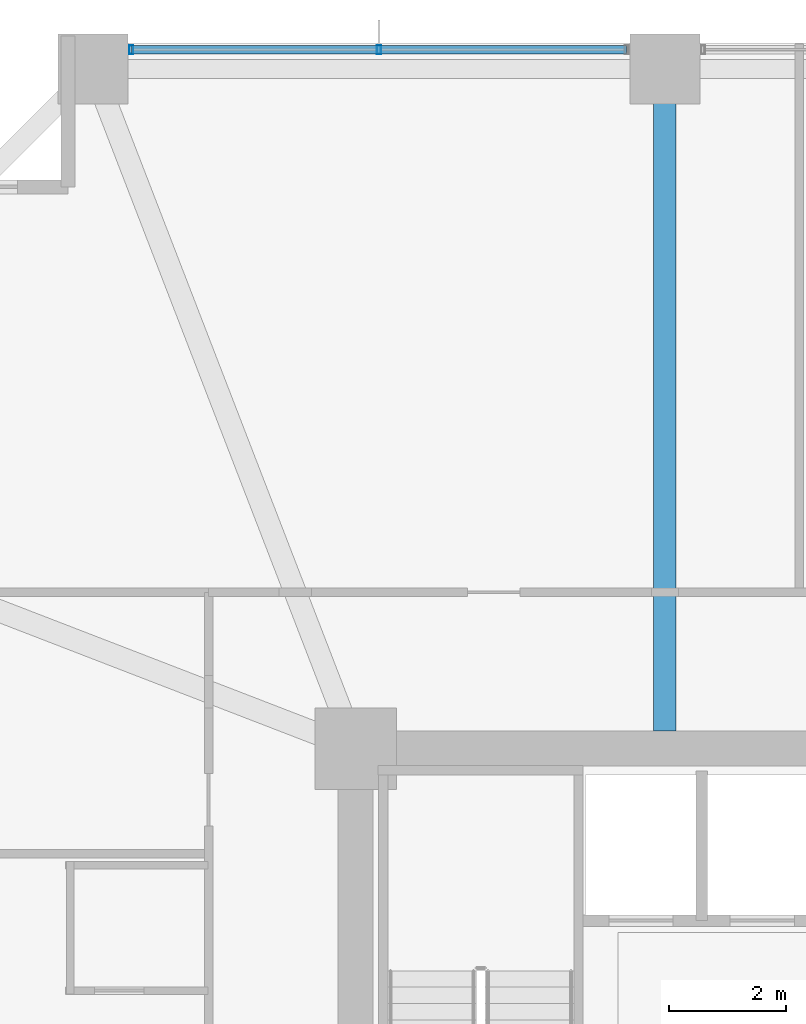
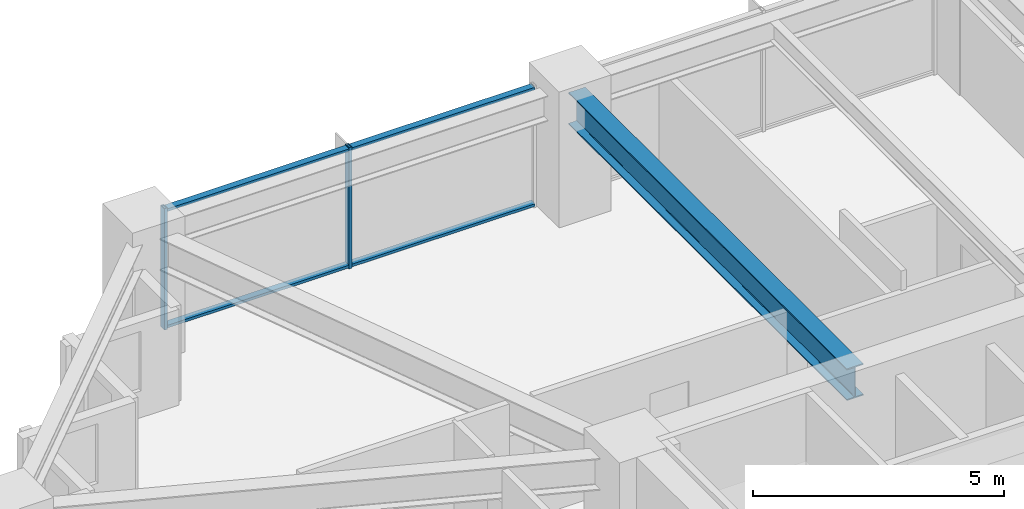
# One storey, part 21 of 38: 4 members, 1 beam, 1 element without a shape of its own.
"""IFC4 building model written with IfcOpenShell, lengths in metres."""

import ifcopenshell
import ifcopenshell.guid

model = None  # the IFC model being written
_history = None  # IfcOwnerHistory: only IFC2X3 demands one
_inside = {}  # id of a spatial element -> (the spatial element, [elements in it])
_under = {}  # id of a project, library or spatial element -> (it, [spatial elements below it])
_declared = {}  # id of a project -> (the project, [libraries it declares])
_typed = {}  # id of a type object -> (the type object, [elements of that type])
_made_of = {}  # id of a material, layer set ... -> (it, [elements and type objects made of it])


def new_model(schema):
    """Start an empty IFC model of exactly this schema.

    Asked for "IFC4X3", IfcOpenShell would pick the latest addendum, in which some entities
    have other attributes; the version numbers below select the first issue.
    IFC2X3 requires an IfcOwnerHistory on every rooted entity: one is made here for all.
    """
    global model, _history
    if schema == "IFC4X3":
        model = ifcopenshell.file(schema_version=(4, 3, 0, 0))
    else:
        model = ifcopenshell.file(schema=schema)
    _inside.clear()
    _under.clear()
    _declared.clear()
    _typed.clear()
    _made_of.clear()
    _history = None
    if model.schema == "IFC2X3":
        org = make("IfcOrganization", Name="unknown")
        user = make(
            "IfcPersonAndOrganization",
            ThePerson=make("IfcPerson", FamilyName="unknown"),
            TheOrganization=org,
        )
        app = make(
            "IfcApplication",
            ApplicationDeveloper=org,
            Version="unknown",
            ApplicationFullName="unknown",
            ApplicationIdentifier="unknown",
        )
        _history = make(
            "IfcOwnerHistory",
            OwningUser=user,
            OwningApplication=app,
            ChangeAction="ADDED",
            CreationDate=0,
        )
    return model


def make(cls, **values):
    """One entity of the class cls with the attributes given. An attribute that is None is left unset."""
    return model.create_entity(
        cls, **{name: value for name, value in values.items() if value is not None}
    )


def rooted(cls, **values):
    """An entity with a GlobalId (a new one), such as an element, a storey or a relation."""
    return make(cls, GlobalId=ifcopenshell.guid.new(), OwnerHistory=_history, **values)


def si_unit(unit_type, name, prefix=None):
    """IfcSIUnit, for example si_unit("LENGTHUNIT", "METRE", prefix="MILLI")."""
    return make("IfcSIUnit", UnitType=unit_type, Prefix=prefix, Name=name)


def assignment(units):
    """IfcUnitAssignment: the units of a project."""
    return None if units is None else make("IfcUnitAssignment", Units=units)


def point(xyz):
    """IfcCartesianPoint."""
    return None if xyz is None else make("IfcCartesianPoint", Coordinates=xyz)


def direction(xyz):
    """IfcDirection."""
    return None if xyz is None else make("IfcDirection", DirectionRatios=xyz)


def frame(location, z_axis=None, x_axis=None):
    """IfcAxis2Placement3D, a coordinate frame: its origin and axes. An axis left out is left unset."""
    return make(
        "IfcAxis2Placement3D",
        Location=point(location),
        Axis=direction(z_axis),
        RefDirection=direction(x_axis),
    )


def frame_2d(location, x_axis=None):
    """IfcAxis2Placement2D, a coordinate frame in the plane: its origin and x axis."""
    return make(
        "IfcAxis2Placement2D", Location=point(location), RefDirection=direction(x_axis)
    )


def origin():
    """The frame at (0, 0, 0) with its axes left unset."""
    return frame((0.0, 0.0, 0.0))


def origin_2d():
    """The frame at (0, 0) in the plane with its x axis left unset."""
    return frame_2d((0.0, 0.0))


def place(relative_to, where):
    """IfcLocalPlacement: puts the frame where relative to a parent placement (None: the world)."""
    return make(
        "IfcLocalPlacement", PlacementRelTo=relative_to, RelativePlacement=where
    )


def context(
    kind, dimensions, precision=None, world=None, true_north=None, identifier=None
):
    """IfcGeometricRepresentationContext, for example the 3D "Model" context."""
    return make(
        "IfcGeometricRepresentationContext",
        ContextIdentifier=identifier,
        ContextType=kind,
        CoordinateSpaceDimension=dimensions,
        Precision=precision,
        WorldCoordinateSystem=world,
        TrueNorth=true_north,
    )


def subcontext(parent, identifier, kind, view, scale=None):
    """IfcGeometricRepresentationSubContext, for example "Body" below "Model"."""
    return make(
        "IfcGeometricRepresentationSubContext",
        ContextIdentifier=identifier,
        ContextType=kind,
        ParentContext=parent,
        TargetScale=scale,
        TargetView=view,
    )


def project(units=None, contexts=None):
    """IfcProject with its units and contexts."""
    return rooted(
        "IfcProject",
        Name="project",
        RepresentationContexts=contexts,
        UnitsInContext=assignment(units),
    )


def spatial(cls, under=None, at=None, **own):
    """A site, building, storey or space (cls), placed at a placement, below another one or the project."""
    s = rooted(cls, ObjectPlacement=at, **own)
    if under is not None:
        _under.setdefault(under.id(), (under, []))[1].append(s)
    return s


def profile(cls, at=None, kind="AREA", **sizes):
    """A parametric profile (cls). Its sizes go by their IFC names, for example OverallWidth=200.0."""
    return make(cls, ProfileType=kind, Position=at, **sizes)


def hollow_rectangle(**sizes):
    """IfcRectangleHollowProfileDef."""
    return profile("IfcRectangleHollowProfileDef", **sizes)


def i_section(**sizes):
    """IfcIShapeProfileDef."""
    return profile("IfcIShapeProfileDef", **sizes)


def extrude(swept, where, along, depth):
    """IfcExtrudedAreaSolid: the profile swept, set in the frame where, extruded along a direction by depth."""
    return make(
        "IfcExtrudedAreaSolid",
        SweptArea=swept,
        Position=where,
        ExtrudedDirection=direction(along),
        Depth=depth,
    )


def shape(context_of_items, identifier, shape_type, items):
    """IfcShapeRepresentation: the items that make up one representation, for example the "Body"."""
    return make(
        "IfcShapeRepresentation",
        ContextOfItems=context_of_items,
        RepresentationIdentifier=identifier,
        RepresentationType=shape_type,
        Items=items,
    )


def material(Name=None, Category=None):
    """IfcMaterial."""
    return make("IfcMaterial", Name=Name, Category=Category)


def material_profile(
    of_material, cross_section, Name=None, Category=None, Priority=None
):
    """IfcMaterialProfile: a cross section and its material."""
    return make(
        "IfcMaterialProfile",
        Name=Name,
        Material=of_material,
        Profile=cross_section,
        Priority=Priority,
        Category=Category,
    )


def profile_set(profiles, Name=None, composite=None):
    """IfcMaterialProfileSet."""
    return make(
        "IfcMaterialProfileSet",
        Name=Name,
        MaterialProfiles=profiles,
        CompositeProfile=composite,
    )


def made_of(thing, what):
    """Note that an element or type object is made of a material, layer set ...; save() writes the relation."""
    if what is not None:
        _made_of.setdefault(what.id(), (what, []))[1].append(thing)
    return thing


def type_object(cls, material=None, **own):
    """A type object (cls), such as IfcWallType, which elements share."""
    return made_of(rooted(cls, **own), material)


def element(
    cls,
    number,
    at=None,
    inside=None,
    cuts=None,
    type_object=None,
    material=None,
    context=None,
    identifier="Body",
    shape_type=None,
    held_by="IfcProductDefinitionShape",
    body=None,
    shapes=None,
    **own,
):
    """One element of the class cls, such as IfcWall. Its Tag is "e" and its number.

    at: its placement. inside: the storey or other place that contains it. cuts: it is an
    opening in that element (IfcRelVoidsElement). A single representation is given by context,
    identifier, shape_type and body (its items); several are given by shapes. held_by: the class
    of the entity that holds the representations. save() writes the other relations.
    """
    e = rooted(cls, Tag="e%d" % number, ObjectPlacement=at, **own)
    if body is not None:
        shapes = [shape(context, identifier, shape_type, body)]
    if shapes is not None:
        e.Representation = make(held_by, Representations=shapes)
    if inside is not None:
        _inside.setdefault(inside.id(), (inside, []))[1].append(e)
    if cuts is not None:
        rooted(
            "IfcRelVoidsElement", RelatingBuildingElement=cuts, RelatedOpeningElement=e
        )
    if type_object is not None:
        _typed.setdefault(type_object.id(), (type_object, []))[1].append(e)
    return made_of(e, material)


def aggregate(whole, parts):
    """IfcRelAggregates: a whole, such as a stair, and the parts it consists of."""
    return rooted("IfcRelAggregates", RelatingObject=whole, RelatedObjects=parts)


def save(model, path):
    """Write the relations noted so far, then the file.

    IfcRelAggregates (storeys below a building ...), IfcRelContainedInSpatialStructure (elements
    in a storey), IfcRelDefinesByType, IfcRelAssociatesMaterial and IfcRelDeclares: one each for
    every whole, place, type object, material and project.
    """
    for whole, parts in _under.values():
        aggregate(whole, parts)
    for where, things in _inside.values():
        rooted(
            "IfcRelContainedInSpatialStructure",
            RelatedElements=things,
            RelatingStructure=where,
        )
    for kind, things in _typed.values():
        rooted("IfcRelDefinesByType", RelatedObjects=things, RelatingType=kind)
    for what, things in _made_of.values():
        rooted("IfcRelAssociatesMaterial", RelatedObjects=things, RelatingMaterial=what)
    for by, libraries in _declared.values():
        rooted("IfcRelDeclares", RelatingContext=by, RelatedDefinitions=libraries)
    model.write(path)


model = new_model("IFC4")

# Units and contexts
model_context = context("Model", 3, precision=1e-05, world=origin(), true_north=direction((0.0, 1.0)))
body_context = subcontext(model_context, "Body", "Model", "MODEL_VIEW")
ifc_project = project(units=[si_unit("LENGTHUNIT", "METRE"), si_unit("AREAUNIT", "SQUARE_METRE"), si_unit("VOLUMEUNIT", "CUBIC_METRE"), si_unit("PLANEANGLEUNIT", "RADIAN"), si_unit("MASSUNIT", "GRAM", prefix="KILO")], contexts=[model_context])

# Site, building, storey
site_placement = place(None, origin())
site = spatial("IfcSite", under=ifc_project, at=site_placement, CompositionType="ELEMENT")
building_placement = place(site_placement, origin())
building = spatial("IfcBuilding", under=site, at=building_placement, Name="Kolvaren Belvedere", CompositionType="ELEMENT")
storey_placement = place(building_placement, frame((0.0, 0.0, 60.10009765625)))
storey = spatial("IfcBuildingStorey", under=building, at=storey_placement, Name="L17", CompositionType="ELEMENT", Elevation=60.10009765625)

# Beam
ifc_material_1 = material(Name="Structural steel ASTM A992 Grade 50", Category="steel")
ifc_material_profile_1 = material_profile(ifc_material_1, i_section(OverallWidth=0.381103515625, OverallDepth=0.77294921875, WebThickness=0.0166015625, FlangeThickness=0.027099609375, FilletRadius=0.02392578125, at=origin_2d()), Name="W30X173")
ifc_profile_set_1 = profile_set([ifc_material_profile_1], Name="Structural steel ASTM A992 Grade 50")
beam_type = type_object("IfcBeamType", Name="BM-GIRD-W30X173", PredefinedType="BEAM", material=ifc_profile_set_1)
beam_placement = place(storey_placement, frame((-4.60009765625, 10.199951171875, 2.5634765625), z_axis=(0.0, 1.0, 0.0), x_axis=(-1.0, 0.0, 0.0)))
element("IfcBeam", 1, at=beam_placement, inside=storey, type_object=beam_type, Name="L17 North Radial Girder M", PredefinedType="BEAM", context=body_context, shape_type="SweptSolid", body=[
    extrude(i_section(OverallWidth=0.381103515625, OverallDepth=0.77294921875, WebThickness=0.0166015625, FlangeThickness=0.027099609375, FilletRadius=0.02392578125, at=origin_2d()), origin(), (0.0, 0.0, 1.0), 11.080078125),
])

# Curtain wall, members
ifc_material_2 = material(Name="Anodised pale-metal aluminium AA 6063-T6", Category="aluminium")
curtain_wall_type = type_object("IfcCurtainWallType", Name="CW-Z1-LOW", PredefinedType="NOTDEFINED", material=ifc_material_2)
curtain_wall_placement = place(storey_placement, origin())
curtain_wall = element("IfcCurtainWall", 2, at=curtain_wall_placement, inside=storey, type_object=curtain_wall_type, Name="L17 Unitised Curtain Wall FCW-L17-N-B1", PredefinedType="NOTDEFINED")
ifc_material_3 = material(Name="Anodised pale-metal aluminium AA 6063-T6", Category="aluminium")
ifc_material_profile_2 = material_profile(ifc_material_3, hollow_rectangle(XDim=0.070068359375, YDim=0.14990234375, WallThickness=0.004150390625, at=origin_2d()), Name="ALU-MUL-150X70")
ifc_profile_set_2 = profile_set([ifc_material_profile_2], Name="Anodised pale-metal aluminium AA 6063-T6")
member_type_1 = type_object("IfcMemberType", Name="CW-MUL-150", PredefinedType="MULLION", material=ifc_profile_set_2)
member_1_placement = place(storey_placement, frame((-13.7451171875, 21.8798828125, 0.0), z_axis=(0.0, 0.0, 1.0), x_axis=(1.0, 0.0, 0.0)))
member_1 = element("IfcMember", 3, at=member_1_placement, type_object=member_type_1, Name="FCW-L17-N-B1 Unitised Mullion 1", PredefinedType="MULLION", context=body_context, shape_type="SweptSolid", body=[
    extrude(hollow_rectangle(XDim=0.070068359375, YDim=0.14990234375, WallThickness=0.004150390625, at=origin_2d()), origin(), (0.0, 0.0, 1.0), 2.949951171875),
])
member_2_placement = place(storey_placement, frame((-9.5, 21.8798828125, 0.0), z_axis=(0.0, 0.0, 1.0), x_axis=(1.0, 0.0, 0.0)))
member_2 = element("IfcMember", 4, at=member_2_placement, type_object=member_type_1, Name="FCW-L17-N-B1 Unitised Mullion 2", PredefinedType="MULLION", context=body_context, shape_type="SweptSolid", body=[
    extrude(hollow_rectangle(XDim=0.070068359375, YDim=0.14990234375, WallThickness=0.004150390625, at=origin_2d()), origin(), (0.0, 0.0, 1.0), 2.949951171875),
])
ifc_material_4 = material(Name="Anodised pale-metal aluminium AA 6063-T6", Category="aluminium")
ifc_material_profile_3 = material_profile(ifc_material_4, hollow_rectangle(XDim=0.06494140625, YDim=0.14990234375, WallThickness=0.00390625, at=origin_2d()), Name="ALU-TRN-150X65")
ifc_profile_set_3 = profile_set([ifc_material_profile_3], Name="Anodised pale-metal aluminium AA 6063-T6")
member_type_2 = type_object("IfcMemberType", Name="CW-TRN-150", PredefinedType="USERDEFINED", material=ifc_profile_set_3)
member_3_placement = place(storey_placement, frame((-13.7451171875, 21.8798828125, 0.059814453125), z_axis=(1.0, 0.0, 0.0), x_axis=(0.0, 0.0, 1.0)))
member_3 = element("IfcMember", 5, at=member_3_placement, type_object=member_type_2, Name="FCW-L17-N-B1 Sill Transom", ObjectType="TRANSOM", PredefinedType="USERDEFINED", context=body_context, shape_type="SweptSolid", body=[
    extrude(hollow_rectangle(XDim=0.06494140625, YDim=0.14990234375, WallThickness=0.00390625, at=origin_2d()), origin(), (0.0, 0.0, 1.0), 8.490234375),
])
member_4_placement = place(storey_placement, frame((-13.7451171875, 21.8798828125, 2.889892578125), z_axis=(1.0, 0.0, 0.0), x_axis=(0.0, 0.0, 1.0)))
member_4 = element("IfcMember", 6, at=member_4_placement, type_object=member_type_2, Name="FCW-L17-N-B1 Head Transom", ObjectType="TRANSOM", PredefinedType="USERDEFINED", context=body_context, shape_type="SweptSolid", body=[
    extrude(hollow_rectangle(XDim=0.06494140625, YDim=0.14990234375, WallThickness=0.00390625, at=origin_2d()), origin(), (0.0, 0.0, 1.0), 8.490234375),
])
aggregate(curtain_wall, [member_1, member_2, member_3, member_4])

save(model, "model.ifc")
